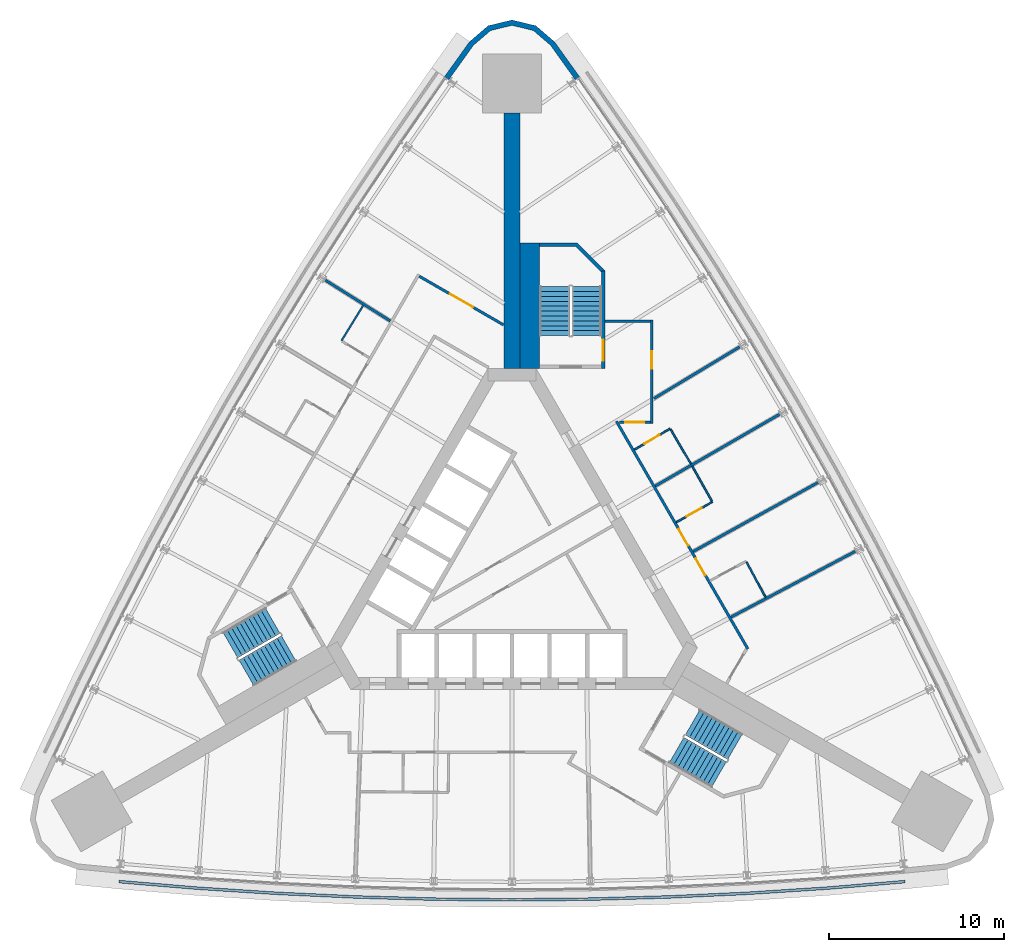
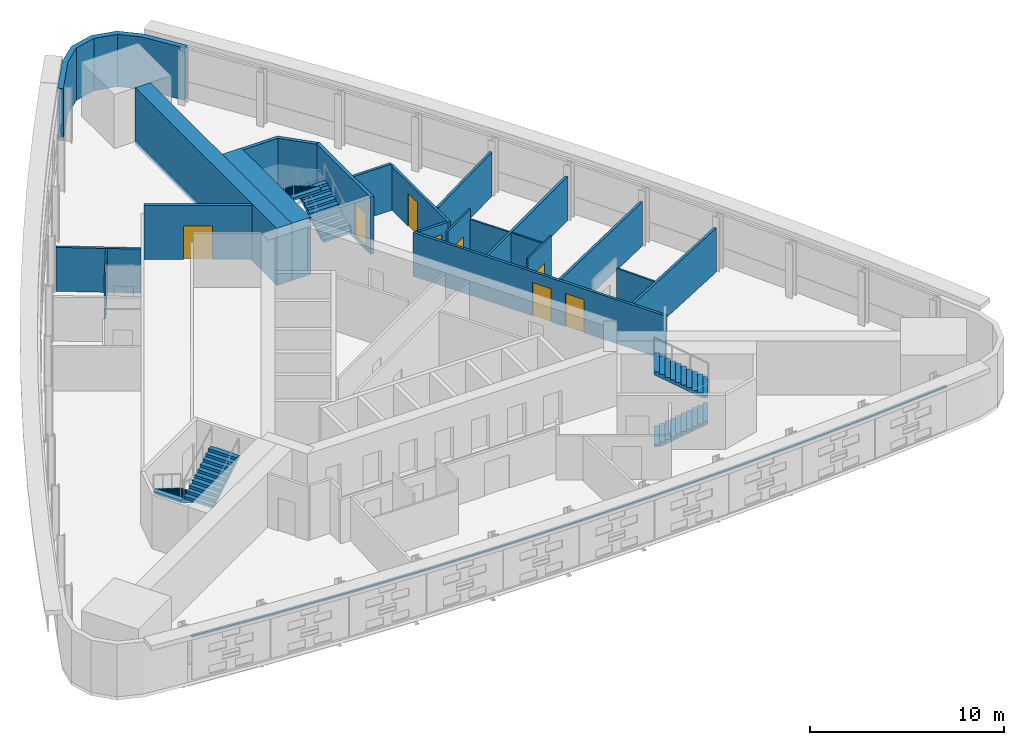
# One storey, part 12 of 15: 21 walls, 8 doors, 6 stair flights, 1 discrete accessory, 8 openings, 3 elements without a shape of their own.
"""IFC4 building model written with IfcOpenShell, lengths in metres."""

from ifc_helpers import new_model, si_unit, direction, frame, frame_2d, origin, place, context, subcontext, project, spatial, polyline, rectangle, outline, extrude, material, layer, layer_set, type_object, element, fill, aggregate, save


model = new_model("IFC4")

# Units and contexts
model_context = context("Model", 3, precision=1e-05, world=origin(), true_north=direction((0.0, 1.0)))
body_context = subcontext(model_context, "Body", "Model", "MODEL_VIEW")
ifc_project = project(units=[si_unit("LENGTHUNIT", "METRE"), si_unit("AREAUNIT", "SQUARE_METRE"), si_unit("VOLUMEUNIT", "CUBIC_METRE"), si_unit("PLANEANGLEUNIT", "RADIAN"), si_unit("MASSUNIT", "GRAM", prefix="KILO")], contexts=[model_context])

# Site, building, storey
site_placement = place(None, origin())
site = spatial("IfcSite", under=ifc_project, at=site_placement, CompositionType="ELEMENT")
building_placement = place(site_placement, origin())
building = spatial("IfcBuilding", under=site, at=building_placement, Name="Noor Cloister Tower", CompositionType="ELEMENT")
storey_placement = place(building_placement, frame((0.0, 0.0, 27.60009765625)))
storey = spatial("IfcBuildingStorey", under=building, at=storey_placement, Name="L06", CompositionType="ELEMENT", Elevation=27.60009765625)

# Wall
ifc_material_1 = material(Name="Concrete C80/95", Category="concrete")
ifc_layer_1 = layer(ifc_material_1, 0.89990234375)
ifc_layer_set_1 = layer_set([ifc_layer_1], Name="Buttress wall 900 C80/95")
wall_type_1 = type_object("IfcWallType", Name="Buttress wall 900 C80/95", PredefinedType="SHEAR", material=ifc_layer_set_1)
wall_1_placement = place(storey_placement, frame((0.0, 11.456298828125, -0.2001953125), z_axis=(0.0, 0.0, 1.0), x_axis=(0.0, 1.0, 0.0)))
element("IfcWall", 1, at=wall_1_placement, inside=storey, type_object=wall_type_1, Name="Buttress wall N L06", PredefinedType="SHEAR", context=body_context, shape_type="SweptSolid", body=[
    extrude(rectangle(XDim=14.6328125, YDim=0.89990234375, at=frame_2d((7.31640625, 0.0))), origin(), (0.0, 0.0, 1.0), 3.60009765625),
])

# Wall, openings, doors
ifc_material_2 = material(Name="Gypsum board partition on steel studs, 150 mm", Category="steel")
ifc_layer_2 = layer(ifc_material_2, 0.14990234375)
ifc_layer_set_2 = layer_set([ifc_layer_2], Name="Flat wall 150")
wall_type_2 = type_object("IfcWallType", Name="Flat wall 150", PredefinedType="PARTITIONING", material=ifc_layer_set_2)
wall_2_placement = place(storey_placement, frame((5.9814453125, 8.4462890625, 0.0), z_axis=(0.0, 0.0, 1.0), x_axis=(0.499996620721, -0.866027354803, 0.0)))
wall_2 = element("IfcWall", 2, at=wall_2_placement, inside=storey, type_object=wall_type_2, Name="Flat wall 150 L06 003", PredefinedType="PARTITIONING", context=body_context, shape_type="SweptSolid", body=[
    extrude(rectangle(XDim=15.056640625, YDim=0.14990234375, at=frame_2d((7.5283203125, 0.0))), origin(), (0.0, 0.0, 1.0), 2.767822265625),
])
opening_1_placement = place(wall_2_placement, frame((9.08740234375, 0.0, 0.0)))
opening_1 = element("IfcOpeningElement", 3, at=opening_1_placement, cuts=wall_2, Name="Opening L06-005", PredefinedType="OPENING", context=body_context, shape_type="SweptSolid", body=[
    extrude(rectangle(XDim=1.10009765625, YDim=2.10009765625, at=frame_2d((0.550048828125, 1.050048828125))), frame((0.0, 0.0849609375, 0.0), z_axis=(0.0, -1.0, 0.0), x_axis=(1.0, 0.0, 0.0)), (0.0, 0.0, 1.0), 0.169921875),
])
opening_2_placement = place(wall_2_placement, frame((7.127685546875, 0.0, 0.0)))
opening_2 = element("IfcOpeningElement", 4, at=opening_2_placement, cuts=wall_2, Name="Opening L06-006", PredefinedType="OPENING", context=body_context, shape_type="SweptSolid", body=[
    extrude(rectangle(XDim=1.10009765625, YDim=2.10009765625, at=frame_2d((0.550048828125, 1.050048828125))), frame((0.0, 0.0849609375, 0.0), z_axis=(0.0, -1.0, 0.0), x_axis=(1.0, 0.0, 0.0)), (0.0, 0.0, 1.0), 0.169921875),
])
ifc_material_3 = material(Name="Timber door leaf with steel frame", Category="steel")
door_type_1 = type_object("IfcDoorType", Name="Resident room door 1100", OperationType="NOTDEFINED", PredefinedType="DOOR", material=ifc_material_3)
door_1_placement = place(opening_1_placement, origin())
door_1 = element("IfcDoor", 5, at=door_1_placement, inside=storey, type_object=door_type_1, Name="Resident room door 1100 L06-005", OperationType="SINGLE_SWING_RIGHT", OverallHeight=2.10009765625, OverallWidth=1.10009765625, PredefinedType="DOOR", context=body_context, shape_type="SweptSolid", body=[
    extrude(rectangle(XDim=1.10009765625, YDim=2.10009765625, at=frame_2d((0.550048828125, 1.050048828125))), frame((0.0, 0.02490234375, 0.0), z_axis=(0.0, -1.0, 0.0), x_axis=(1.0, 0.0, 0.0)), (0.0, 0.0, 1.0), 0.050048828125),
])
fill(opening_1, door_1)
door_2_placement = place(opening_2_placement, origin())
door_2 = element("IfcDoor", 6, at=door_2_placement, inside=storey, type_object=door_type_1, Name="Resident room door 1100 L06-006", OperationType="SINGLE_SWING_RIGHT", OverallHeight=2.10009765625, OverallWidth=1.10009765625, PredefinedType="DOOR", context=body_context, shape_type="SweptSolid", body=[
    extrude(rectangle(XDim=1.10009765625, YDim=2.10009765625, at=frame_2d((0.550048828125, 1.050048828125))), frame((0.0, 0.02490234375, 0.0), z_axis=(0.0, -1.0, 0.0), x_axis=(1.0, 0.0, 0.0)), (0.0, 0.0, 1.0), 0.050048828125),
])
fill(opening_2, door_2)

# Wall, opening, door
wall_3_placement = place(storey_placement, frame((8.010498046875, 14.25634765625, 0.0), z_axis=(0.0, 0.0, 1.0), x_axis=(0.0, -1.0, 0.0)))
wall_3 = element("IfcWall", 7, at=wall_3_placement, inside=storey, type_object=wall_type_2, Name="Flat wall 150 L06 005", PredefinedType="PARTITIONING", context=body_context, shape_type="SweptSolid", body=[
    extrude(rectangle(XDim=5.949951171875, YDim=0.14990234375, at=frame_2d((2.97509765625, 0.0))), origin(), (0.0, 0.0, 1.0), 2.767822265625),
])
opening_3_placement = place(wall_3_placement, frame((1.80712890625, 0.0, 0.0)))
opening_3 = element("IfcOpeningElement", 8, at=opening_3_placement, cuts=wall_3, Name="Opening L06-010", PredefinedType="OPENING", context=body_context, shape_type="SweptSolid", body=[
    extrude(rectangle(XDim=1.0, YDim=2.10009765625, at=frame_2d((0.5, 1.050048828125))), frame((0.0, 0.0849609375, 0.0), z_axis=(0.0, -1.0, 0.0), x_axis=(1.0, 0.0, 0.0)), (0.0, 0.0, 1.0), 0.169921875),
])
ifc_material_4 = material(Name="Timber door leaf with steel frame", Category="steel")
door_type_2 = type_object("IfcDoorType", Name="Interior door 1000 FD60", OperationType="NOTDEFINED", PredefinedType="DOOR", material=ifc_material_4)
door_3_placement = place(opening_3_placement, origin())
door_3 = element("IfcDoor", 9, at=door_3_placement, inside=storey, type_object=door_type_2, Name="Interior door 1000 L06-010", OperationType="SINGLE_SWING_LEFT", OverallHeight=2.10009765625, OverallWidth=1.0, PredefinedType="DOOR", context=body_context, shape_type="SweptSolid", body=[
    extrude(rectangle(XDim=1.0, YDim=2.10009765625, at=frame_2d((0.5, 1.050048828125))), frame((0.0, 0.02490234375, 0.0), z_axis=(0.0, -1.0, 0.0), x_axis=(1.0, 0.0, 0.0)), (0.0, 0.0, 1.0), 0.050048828125),
])
fill(opening_3, door_3)

wall_4_placement = place(storey_placement, frame((-5.3125, 16.754638671875, 0.0), z_axis=(0.0, 0.0, 1.0), x_axis=(0.866028693448, -0.499994302092, 0.0)))
wall_4 = element("IfcWall", 10, at=wall_4_placement, inside=storey, type_object=wall_type_2, Name="Flat wall 150 L06 007", PredefinedType="PARTITIONING", context=body_context, shape_type="SweptSolid", body=[
    extrude(rectangle(XDim=5.5712890625, YDim=0.14990234375, at=frame_2d((2.78564453125, 0.0))), origin(), (0.0, 0.0, 1.0), 3.39990234375),
])
opening_4_placement = place(wall_4_placement, frame((2.045166015625, 0.0, 0.0)))
opening_4 = element("IfcOpeningElement", 11, at=opening_4_placement, cuts=wall_4, Name="Opening L06-012", PredefinedType="OPENING", context=body_context, shape_type="SweptSolid", body=[
    extrude(rectangle(XDim=1.5, YDim=2.10009765625, at=frame_2d((0.75, 1.050048828125))), frame((0.0, 0.0849609375, 0.0), z_axis=(0.0, -1.0, 0.0), x_axis=(1.0, 0.0, 0.0)), (0.0, 0.0, 1.0), 0.169921875),
])
ifc_material_5 = material(Name="Timber door leaf with steel frame", Category="steel")
door_type_3 = type_object("IfcDoorType", Name="Double door 1500 FD60", OperationType="NOTDEFINED", PredefinedType="DOOR", material=ifc_material_5)
door_4_placement = place(opening_4_placement, origin())
door_4 = element("IfcDoor", 12, at=door_4_placement, inside=storey, type_object=door_type_3, Name="Double door 1500 L06-012", OperationType="DOUBLE_DOOR_SINGLE_SWING", OverallHeight=2.10009765625, OverallWidth=1.5, PredefinedType="DOOR", context=body_context, shape_type="SweptSolid", body=[
    extrude(rectangle(XDim=1.5, YDim=2.10009765625, at=frame_2d((0.75, 1.050048828125))), frame((0.0, 0.02490234375, 0.0), z_axis=(0.0, -1.0, 0.0), x_axis=(1.0, 0.0, 0.0)), (0.0, 0.0, 1.0), 0.050048828125),
])
fill(opening_4, door_4)

# Wall
wall_5_placement = place(storey_placement, frame((5.335693359375, 14.181396484375, 0.0), z_axis=(0.0, 0.0, 1.0), x_axis=(1.0, 0.0, 0.0)))
element("IfcWall", 13, at=wall_5_placement, inside=storey, type_object=wall_type_2, Name="Flat wall 150 L06 009", PredefinedType="PARTITIONING", context=body_context, shape_type="SweptSolid", body=[
    extrude(rectangle(XDim=2.599853515625, YDim=0.14990234375, at=frame_2d((1.2998046875, 0.0))), origin(), (0.0, 0.0, 1.0), 2.9228515625),
])

# Wall, opening, door
wall_6_placement = place(storey_placement, frame((7.935546875, 8.38134765625, 0.0), z_axis=(0.0, 0.0, 1.0), x_axis=(-1.0, 0.0, 0.0)))
wall_6 = element("IfcWall", 14, at=wall_6_placement, inside=storey, type_object=wall_type_2, Name="Flat wall 150 L06 013", PredefinedType="PARTITIONING", context=body_context, shape_type="SweptSolid", body=[
    extrude(rectangle(XDim=1.786865234375, YDim=0.14990234375, at=frame_2d((0.8935546875, 0.0))), origin(), (0.0, 0.0, 1.0), 2.767822265625),
])
opening_5_placement = place(wall_6_placement, frame((0.352783203125, 0.0, 0.0)))
opening_5 = element("IfcOpeningElement", 15, at=opening_5_placement, cuts=wall_6, Name="Opening L06-015", PredefinedType="OPENING", context=body_context, shape_type="SweptSolid", body=[
    extrude(rectangle(XDim=1.10009765625, YDim=2.10009765625, at=frame_2d((0.550048828125, 1.050048828125))), frame((0.0, 0.0849609375, 0.0), z_axis=(0.0, -1.0, 0.0), x_axis=(1.0, 0.0, 0.0)), (0.0, 0.0, 1.0), 0.169921875),
])
door_5_placement = place(opening_5_placement, origin())
door_5 = element("IfcDoor", 16, at=door_5_placement, inside=storey, type_object=door_type_1, Name="Resident room door 1100 L06-015", OperationType="SINGLE_SWING_RIGHT", OverallHeight=2.10009765625, OverallWidth=1.10009765625, PredefinedType="DOOR", context=body_context, shape_type="SweptSolid", body=[
    extrude(rectangle(XDim=1.10009765625, YDim=2.10009765625, at=frame_2d((0.550048828125, 1.050048828125))), frame((0.0, 0.02490234375, 0.0), z_axis=(0.0, -1.0, 0.0), x_axis=(1.0, 0.0, 0.0)), (0.0, 0.0, 1.0), 0.050048828125),
])
fill(opening_5, door_5)

# Walls
wall_7_placement = place(storey_placement, frame((15.31396484375, 8.841552734375, 0.0), z_axis=(0.0, 0.0, 1.0), x_axis=(-0.866015124653, -0.500017803555, 0.0)))
element("IfcWall", 17, at=wall_7_placement, inside=storey, type_object=wall_type_2, Name="Flat wall 150 L06 017", PredefinedType="PARTITIONING", context=body_context, shape_type="SweptSolid", body=[
    extrude(rectangle(XDim=8.204833984375, YDim=0.14990234375, at=frame_2d((4.1025390625, 0.0))), origin(), (0.0, 0.0, 1.0), 2.767822265625),
])
wall_8_placement = place(storey_placement, frame((17.5205078125, 4.936767578125, 0.0), z_axis=(0.0, 0.0, 1.0), x_axis=(-0.875148563779, -0.483854307944, 0.0)))
element("IfcWall", 18, at=wall_8_placement, inside=storey, type_object=wall_type_2, Name="Flat wall 150 L06 018", PredefinedType="PARTITIONING", context=body_context, shape_type="SweptSolid", body=[
    extrude(rectangle(XDim=8.16357421875, YDim=0.14990234375, at=frame_2d((4.081787109375, 0.0))), origin(), (0.0, 0.0, 1.0), 2.767822265625),
])
wall_9_placement = place(storey_placement, frame((19.654052734375, 0.99169921875, 0.0), z_axis=(0.0, 0.0, 1.0), x_axis=(-0.883980590433, -0.467523599124, 0.0)))
element("IfcWall", 19, at=wall_9_placement, inside=storey, type_object=wall_type_2, Name="Flat wall 150 L06 019", PredefinedType="PARTITIONING", context=body_context, shape_type="SweptSolid", body=[
    extrude(rectangle(XDim=8.041259765625, YDim=0.14990234375, at=frame_2d((4.0205078125, 0.0))), origin(), (0.0, 0.0, 1.0), 2.767822265625),
])
wall_10_placement = place(storey_placement, frame((13.03564453125, 12.704833984375, 0.0), z_axis=(0.0, 0.0, 1.0), x_axis=(-0.856612490534, -0.515960309579, 0.0)))
element("IfcWall", 20, at=wall_10_placement, inside=storey, type_object=wall_type_2, Name="Flat wall 150 L06 022", PredefinedType="PARTITIONING", context=body_context, shape_type="SweptSolid", body=[
    extrude(rectangle(XDim=5.7333984375, YDim=0.14990234375, at=frame_2d((2.86669921875, 0.0))), origin(), (0.0, 0.0, 1.0), 2.767822265625),
])
wall_11_placement = place(storey_placement, frame((-10.685791015625, 16.525146484375, 0.0), z_axis=(0.0, 0.0, 1.0), x_axis=(0.846871345174, -0.531797823165, 0.0)))
element("IfcWall", 21, at=wall_11_placement, inside=storey, type_object=wall_type_2, Name="Flat wall 150 L06 025", PredefinedType="PARTITIONING", context=body_context, shape_type="SweptSolid", body=[
    extrude(rectangle(XDim=4.388916015625, YDim=0.14990234375, at=frame_2d((2.1943359375, 0.0))), origin(), (0.0, 0.0, 1.0), 2.767822265625),
])
ifc_material_6 = material(Name="Limestone", Category="masonry")
ifc_layer_3 = layer(ifc_material_6, 0.300048828125)
ifc_layer_set_3 = layer_set([ifc_layer_3], Name="Limestone cladding 300")
wall_type_3 = type_object("IfcWallType", Name="Limestone cladding 300", PredefinedType="NOTDEFINED", material=ifc_layer_set_3)
wall_12_placement = place(storey_placement, origin())
element("IfcWall", 22, at=wall_12_placement, inside=storey, type_object=wall_type_3, Name="Limestone pier cladding L06 3.1", PredefinedType="NOTDEFINED", context=body_context, shape_type="SweptSolid", body=[
    extrude(outline(polyline([(3.869873046875, 28.177734375), (2.43017578125, 30.188232421875), (1.3642578125, 31.100830078125), (0.0, 31.428955078125), (-1.3642578125, 31.100830078125), (-2.43017578125, 30.188232421875), (-3.869873046875, 28.177734375), (-3.6259765625, 28.003173828125), (-2.20751953125, 29.98388671875), (-1.223876953125, 30.826171875), (0.0, 31.12060546875), (1.223876953125, 30.826171875), (2.20751953125, 29.98388671875), (3.6259765625, 28.003173828125), (3.869873046875, 28.177734375)])), origin(), (0.0, 0.0, 1.0), 3.2998046875),
])

# Wall, opening, door
ifc_material_7 = material(Name="Gypsum board partition on steel studs, 100 mm", Category="steel")
ifc_layer_4 = layer(ifc_material_7, 0.10009765625)
ifc_layer_set_4 = layer_set([ifc_layer_4], Name="Partition 100")
wall_type_4 = type_object("IfcWallType", Name="Partition 100", PredefinedType="PARTITIONING", material=ifc_layer_set_4)
wall_13_placement = place(storey_placement, frame((9.408203125, 2.66162109375, 0.0), z_axis=(0.0, 0.0, 1.0), x_axis=(0.870608725809, 0.491976062981, 0.0)))
wall_13 = element("IfcWall", 23, at=wall_13_placement, inside=storey, type_object=wall_type_4, Name="Partition 100 L06 027", PredefinedType="PARTITIONING", context=body_context, shape_type="SweptSolid", body=[
    extrude(rectangle(XDim=2.3779296875, YDim=0.10009765625, at=frame_2d((1.18896484375, 0.0))), origin(), (0.0, 0.0, 1.0), 3.39990234375),
])
opening_6_placement = place(wall_13_placement, frame((0.677978515625, 0.0, 0.0)))
opening_6 = element("IfcOpeningElement", 24, at=opening_6_placement, cuts=wall_13, Name="Opening L06-016", PredefinedType="OPENING", context=body_context, shape_type="SweptSolid", body=[
    extrude(rectangle(XDim=1.0, YDim=2.10009765625, at=frame_2d((0.5, 1.050048828125))), frame((0.0, 0.06005859375, 0.0), z_axis=(0.0, -1.0, 0.0), x_axis=(1.0, 0.0, 0.0)), (0.0, 0.0, 1.0), 0.1201171875),
])
ifc_material_8 = material(Name="Timber door leaf with steel frame", Category="steel")
door_type_4 = type_object("IfcDoorType", Name="Interior door 1000", OperationType="NOTDEFINED", PredefinedType="DOOR", material=ifc_material_8)
door_6_placement = place(opening_6_placement, origin())
door_6 = element("IfcDoor", 25, at=door_6_placement, inside=storey, type_object=door_type_4, Name="Interior door 1000 L06-016", OperationType="SINGLE_SWING_LEFT", OverallHeight=2.10009765625, OverallWidth=1.0, PredefinedType="DOOR", context=body_context, shape_type="SweptSolid", body=[
    extrude(rectangle(XDim=1.0, YDim=2.10009765625, at=frame_2d((0.5, 1.050048828125))), frame((0.0, 0.02490234375, 0.0), z_axis=(0.0, -1.0, 0.0), x_axis=(1.0, 0.0, 0.0)), (0.0, 0.0, 1.0), 0.050048828125),
])
fill(opening_6, door_6)

wall_14_placement = place(storey_placement, frame((9.0576171875, 8.02490234375, 0.0), z_axis=(0.0, 0.0, 1.0), x_axis=(-0.861363599661, -0.507988926236, 0.0)))
wall_14 = element("IfcWall", 26, at=wall_14_placement, inside=storey, type_object=wall_type_4, Name="Partition 100 L06 028", PredefinedType="PARTITIONING", context=body_context, shape_type="SweptSolid", body=[
    extrude(rectangle(XDim=2.3779296875, YDim=0.10009765625, at=frame_2d((1.18896484375, 0.0))), origin(), (0.0, 0.0, 1.0), 3.39990234375),
])
opening_7_placement = place(wall_14_placement, frame((0.699951171875, 0.0, 0.0)))
opening_7 = element("IfcOpeningElement", 27, at=opening_7_placement, cuts=wall_14, Name="Opening L06-017", PredefinedType="OPENING", context=body_context, shape_type="SweptSolid", body=[
    extrude(rectangle(XDim=1.0, YDim=2.10009765625, at=frame_2d((0.5, 1.050048828125))), frame((0.0, 0.06005859375, 0.0), z_axis=(0.0, -1.0, 0.0), x_axis=(1.0, 0.0, 0.0)), (0.0, 0.0, 1.0), 0.1201171875),
])
door_7_placement = place(opening_7_placement, origin())
door_7 = element("IfcDoor", 28, at=door_7_placement, inside=storey, type_object=door_type_4, Name="Interior door 1000 L06-017", OperationType="SINGLE_SWING_RIGHT", OverallHeight=2.10009765625, OverallWidth=1.0, PredefinedType="DOOR", context=body_context, shape_type="SweptSolid", body=[
    extrude(rectangle(XDim=1.0, YDim=2.10009765625, at=frame_2d((0.5, 1.050048828125))), frame((0.0, 0.02490234375, 0.0), z_axis=(0.0, -1.0, 0.0), x_axis=(1.0, 0.0, 0.0)), (0.0, 0.0, 1.0), 0.050048828125),
])
fill(opening_7, door_7)

# Walls
wall_15_placement = place(storey_placement, frame((-8.523193359375, 15.078125, 0.0), z_axis=(0.0, 0.0, 1.0), x_axis=(-0.523925395227, -0.851764157638, 0.0)))
element("IfcWall", 29, at=wall_15_placement, inside=storey, type_object=wall_type_4, Name="Partition 100 L06 029", PredefinedType="PARTITIONING", context=body_context, shape_type="SweptSolid", body=[
    extrude(rectangle(XDim=2.37548828125, YDim=0.10009765625, at=frame_2d((1.187744140625, 0.0))), origin(), (0.0, 0.0, 1.0), 2.767822265625),
])
for number, where, z_axis, x_axis, name in (
    (30, (14.524169921875, -1.635986328125, 0.0), (0.0, 0.0, 1.0), (-0.475734975891, 0.879588672457, 0.0), "Partition 100 L06 032"),
    (31, (10.32470703125, 5.873779296875, 0.0), (0.0, 0.0, 1.0), (0.491941616, -0.870628190703, 0.0), "Partition 100 L06 033"),
    (32, (10.249267578125, 6.00439453125, 0.0), (0.0, 0.0, 1.0), (-0.507991089151, 0.861362324079, 0.0), "Partition 100 L06 034"),
):
    element("IfcWall", number, at=place(storey_placement, frame(where, z_axis=z_axis, x_axis=x_axis)), inside=storey, type_object=wall_type_4, Name=name, PredefinedType="PARTITIONING", context=body_context, shape_type="SweptSolid", body=[
        extrude(rectangle(XDim=2.2958984375, YDim=0.10009765625, at=frame_2d((1.14794921875, 0.0))), origin(), (0.0, 0.0, 1.0), 2.767822265625),
    ])
ifc_material_9 = material(Name="Concrete C80/95", Category="concrete")
ifc_layer_5 = layer(ifc_material_9, 1.135986328125)
ifc_layer_set_5 = layer_set([ifc_layer_5], Name="Stair enclosure wall 1136 C80/95")
wall_type_5 = type_object("IfcWallType", Name="Stair enclosure wall 1136 C80/95", PredefinedType="SHEAR", material=ifc_layer_set_5)
wall_16_placement = place(storey_placement, frame((1.017822265625, 11.456298828125, -0.2001953125), z_axis=(0.0, 0.0, 1.0), x_axis=(0.0, 1.0, 0.0)))
element("IfcWall", 33, at=wall_16_placement, inside=storey, type_object=wall_type_5, Name="Stair enclosure wall ST1 L06 riser side", PredefinedType="SHEAR", context=body_context, shape_type="SweptSolid", body=[
    extrude(rectangle(XDim=7.2001953125, YDim=1.1357421875, at=frame_2d((3.60009765625, 0.0))), origin(), (0.0, 0.0, 1.0), 3.60009765625),
])

# Wall, opening, door
ifc_material_10 = material(Name="Concrete C80/95", Category="concrete")
ifc_layer_6 = layer(ifc_material_10, 0.199951171875)
ifc_layer_set_6 = layer_set([ifc_layer_6], Name="Stair enclosure wall 200 C80/95")
wall_type_6 = type_object("IfcWallType", Name="Stair enclosure wall 200 C80/95", PredefinedType="SHEAR", material=ifc_layer_set_6)
wall_17_placement = place(storey_placement, frame((5.235595703125, 11.456298828125, -0.2001953125), z_axis=(0.0, 0.0, 1.0), x_axis=(0.0, 1.0, 0.0)))
wall_17 = element("IfcWall", 34, at=wall_17_placement, inside=storey, type_object=wall_type_6, Name="Stair enclosure wall ST1 L06 outer side", PredefinedType="SHEAR", context=body_context, shape_type="SweptSolid", body=[
    extrude(rectangle(XDim=5.60009765625, YDim=0.199951171875, at=frame_2d((2.800048828125, 0.0))), origin(), (0.0, 0.0, 1.0), 3.60009765625),
])
opening_8_placement = place(wall_17_placement, frame((0.449951171875, 0.0, 0.199951171875)))
opening_8 = element("IfcOpeningElement", 35, at=opening_8_placement, cuts=wall_17, Name="Opening L06-ST1C", PredefinedType="OPENING", context=body_context, shape_type="SweptSolid", body=[
    extrude(rectangle(XDim=1.199951171875, YDim=2.10009765625, at=frame_2d((0.60009765625, 1.050048828125))), frame((0.0, 0.10986328125, 0.0), z_axis=(0.0, -1.0, 0.0), x_axis=(1.0, 0.0, 0.0)), (0.0, 0.0, 1.0), 0.219970703125),
])
ifc_material_11 = material(Name="Steel", Category="steel")
door_type_5 = type_object("IfcDoorType", Name="Stair door 1200 x 2100 FD120", OperationType="SINGLE_SWING_LEFT", PredefinedType="DOOR", material=ifc_material_11)
door_8_placement = place(opening_8_placement, origin())
door_8 = element("IfcDoor", 36, at=door_8_placement, inside=storey, type_object=door_type_5, Name="Stair door ST1 L06", OperationType="SINGLE_SWING_LEFT", OverallHeight=2.10009765625, OverallWidth=1.199951171875, PredefinedType="DOOR", context=body_context, shape_type="SweptSolid", body=[
    extrude(rectangle(XDim=1.199951171875, YDim=2.10009765625, at=frame_2d((0.60009765625, 1.050048828125))), frame((0.0, 0.02490234375, 0.0), z_axis=(0.0, -1.0, 0.0), x_axis=(1.0, 0.0, 0.0)), (0.0, 0.0, 1.0), 0.050048828125),
])
fill(opening_8, door_8)

# Wall
ifc_material_12 = material(Name="Concrete C80/95", Category="concrete")
wall_type_7 = type_object("IfcWallType", Name="Stair far end wall C80/95", PredefinedType="SHEAR", material=ifc_material_12)
wall_18_placement = place(storey_placement, frame((0.0, 0.0, -0.2001953125)))
element("IfcWall", 37, at=wall_18_placement, inside=storey, type_object=wall_type_7, Name="Stair enclosure wall ST1 L06 far end", PredefinedType="SHEAR", context=body_context, shape_type="SweptSolid", body=[
    extrude(outline(polyline([(5.335693359375, 17.056396484375), (3.735595703125, 18.656494140625), (1.585693359375, 18.656494140625), (1.585693359375, 18.456298828125), (3.65283203125, 18.456298828125), (5.135498046875, 16.9736328125), (5.135498046875, 17.056396484375), (5.135498046875, 17.056396484375), (5.135498046875, 17.056396484375), (5.135498046875, 17.056396484375), (5.135498046875, 17.056396484375), (5.135498046875, 17.056396484375), (5.135498046875, 17.056396484375), (5.135498046875, 17.056396484375), (5.135498046875, 17.056396484375), (5.135498046875, 17.056396484375), (5.135498046875, 17.056396484375), (5.135498046875, 17.056396484375), (5.135498046875, 17.056396484375), (5.135498046875, 17.056396484375), (5.135498046875, 17.056396484375), (5.135498046875, 17.056396484375), (5.135498046875, 17.056396484375), (5.335693359375, 17.056396484375)])), origin(), (0.0, 0.0, 1.0), 3.60009765625),
])

# Stair, stair flights
ifc_material_13 = material(Name="Concrete C40/50", Category="concrete")
stair_type = type_object("IfcStairType", Name="Exit stair 22 risers", PredefinedType="HALF_TURN_STAIR", material=ifc_material_13)
stair_1_placement = place(storey_placement, origin())
stair_1 = element("IfcStair", 38, at=stair_1_placement, inside=storey, type_object=stair_type, Name="Exit stair ST1 L06", PredefinedType="HALF_TURN_STAIR")
ifc_material_14 = material(Name="Concrete C40/50", Category="concrete")
stair_flight_type = type_object("IfcStairFlightType", Name="Exit stair flight", PredefinedType="STRAIGHT", material=ifc_material_14)
stair_flight_1_placement = place(storey_placement, frame((4.28564453125, 13.3564453125, 0.0), z_axis=(0.0, 0.0, 1.0), x_axis=(0.0, 1.0, 0.0)))
stair_flight_1 = element("IfcStairFlight", 39, at=stair_flight_1_placement, type_object=stair_flight_type, Name="ST1 flight 1", NumberOfRisers=11, NumberOfTreads=10, PredefinedType="STRAIGHT", RiserHeight=0.163636364, TreadLength=0.28, context=body_context, shape_type="SweptSolid", body=[
    extrude(outline(polyline([(0.0, 0.0), (0.0, 0.16357421875), (0.280029296875, 0.16357421875), (0.280029296875, 0.327392578125), (0.56005859375, 0.327392578125), (0.56005859375, 0.490966796875), (0.840087890625, 0.490966796875), (0.840087890625, 0.654541015625), (1.1201171875, 0.654541015625), (1.1201171875, 0.818115234375), (1.39990234375, 0.818115234375), (1.39990234375, 0.98193359375), (1.679931640625, 0.98193359375), (1.679931640625, 1.1455078125), (1.9599609375, 1.1455078125), (1.9599609375, 1.30908203125), (2.239990234375, 1.30908203125), (2.239990234375, 1.47265625), (2.52001953125, 1.47265625), (2.52001953125, 1.636474609375), (2.800048828125, 1.636474609375), (2.800048828125, 1.800048828125), (2.800048828125, 1.462646484375), (0.297119140625, 0.0), (0.0, 0.0)])), frame((0.0, 0.85009765625, 0.0), z_axis=(0.0, -1.0, 0.0), x_axis=(1.0, 0.0, 0.0)), (0.0, 0.0, 1.0), 1.699951171875),
])
stair_flight_2_placement = place(storey_placement, frame((2.435546875, 16.156494140625, 1.7998046875), z_axis=(0.0, 0.0, 1.0), x_axis=(0.0, -1.0, 0.0)))
stair_flight_2 = element("IfcStairFlight", 40, at=stair_flight_2_placement, type_object=stair_flight_type, Name="ST1 flight 2", NumberOfRisers=11, NumberOfTreads=10, PredefinedType="STRAIGHT", RiserHeight=0.163636364, TreadLength=0.28, context=body_context, shape_type="SweptSolid", body=[
    extrude(outline(polyline([(0.0, 0.0), (0.0, 0.16357421875), (0.280029296875, 0.16357421875), (0.280029296875, 0.327392578125), (0.56005859375, 0.327392578125), (0.56005859375, 0.490966796875), (0.840087890625, 0.490966796875), (0.840087890625, 0.654541015625), (1.1201171875, 0.654541015625), (1.1201171875, 0.818115234375), (1.39990234375, 0.818115234375), (1.39990234375, 0.98193359375), (1.679931640625, 0.98193359375), (1.679931640625, 1.1455078125), (1.9599609375, 1.1455078125), (1.9599609375, 1.30908203125), (2.239990234375, 1.30908203125), (2.239990234375, 1.47265625), (2.52001953125, 1.47265625), (2.52001953125, 1.636474609375), (2.800048828125, 1.636474609375), (2.800048828125, 1.800048828125), (2.800048828125, 1.462646484375), (0.297119140625, 0.0), (0.0, 0.0)])), frame((0.0, 0.85009765625, 0.0), z_axis=(0.0, -1.0, 0.0), x_axis=(1.0, 0.0, 0.0)), (0.0, 0.0, 1.0), 1.699951171875),
])
aggregate(stair_1, [stair_flight_1, stair_flight_2])

stair_2_placement = place(storey_placement, origin())
stair_2 = element("IfcStair", 41, at=stair_2_placement, inside=storey, type_object=stair_type, Name="Exit stair ST2 L06", PredefinedType="HALF_TURN_STAIR")
stair_flight_3_placement = place(storey_placement, frame((-13.709716796875, -2.966796875, 0.0), z_axis=(0.0, 0.0, 1.0), x_axis=(-0.866025403784, -0.5, 0.0)))
stair_flight_3 = element("IfcStairFlight", 42, at=stair_flight_3_placement, type_object=stair_flight_type, Name="ST2 flight 1", NumberOfRisers=11, NumberOfTreads=10, PredefinedType="STRAIGHT", RiserHeight=0.163636364, TreadLength=0.28, context=body_context, shape_type="SweptSolid", body=[
    extrude(outline(polyline([(0.0, 0.0), (0.0, 0.16357421875), (0.280029296875, 0.16357421875), (0.280029296875, 0.327392578125), (0.56005859375, 0.327392578125), (0.56005859375, 0.490966796875), (0.840087890625, 0.490966796875), (0.840087890625, 0.654541015625), (1.1201171875, 0.654541015625), (1.1201171875, 0.818115234375), (1.39990234375, 0.818115234375), (1.39990234375, 0.98193359375), (1.679931640625, 0.98193359375), (1.679931640625, 1.1455078125), (1.9599609375, 1.1455078125), (1.9599609375, 1.30908203125), (2.239990234375, 1.30908203125), (2.239990234375, 1.47265625), (2.52001953125, 1.47265625), (2.52001953125, 1.636474609375), (2.800048828125, 1.636474609375), (2.800048828125, 1.800048828125), (2.800048828125, 1.462646484375), (0.297119140625, 0.0), (0.0, 0.0)])), frame((0.0, 0.85009765625, 0.0), z_axis=(0.0, -1.0, 0.0), x_axis=(1.0, 0.0, 0.0)), (0.0, 0.0, 1.0), 1.699951171875),
])
stair_flight_4_placement = place(storey_placement, frame((-15.209716796875, -5.968994140625, 1.7998046875), z_axis=(0.0, 0.0, 1.0), x_axis=(0.866025403784, 0.5, 0.0)))
stair_flight_4 = element("IfcStairFlight", 43, at=stair_flight_4_placement, type_object=stair_flight_type, Name="ST2 flight 2", NumberOfRisers=11, NumberOfTreads=10, PredefinedType="STRAIGHT", RiserHeight=0.163636364, TreadLength=0.28, context=body_context, shape_type="SweptSolid", body=[
    extrude(outline(polyline([(0.0, 0.0), (0.0, 0.16357421875), (0.280029296875, 0.16357421875), (0.280029296875, 0.327392578125), (0.56005859375, 0.327392578125), (0.56005859375, 0.490966796875), (0.840087890625, 0.490966796875), (0.840087890625, 0.654541015625), (1.1201171875, 0.654541015625), (1.1201171875, 0.818115234375), (1.39990234375, 0.818115234375), (1.39990234375, 0.98193359375), (1.679931640625, 0.98193359375), (1.679931640625, 1.1455078125), (1.9599609375, 1.1455078125), (1.9599609375, 1.30908203125), (2.239990234375, 1.30908203125), (2.239990234375, 1.47265625), (2.52001953125, 1.47265625), (2.52001953125, 1.636474609375), (2.800048828125, 1.636474609375), (2.800048828125, 1.800048828125), (2.800048828125, 1.462646484375), (0.297119140625, 0.0), (0.0, 0.0)])), frame((0.0, 0.85009765625, 0.0), z_axis=(0.0, -1.0, 0.0), x_axis=(1.0, 0.0, 0.0)), (0.0, 0.0, 1.0), 1.699951171875),
])
aggregate(stair_2, [stair_flight_3, stair_flight_4])

stair_3_placement = place(storey_placement, origin())
stair_3 = element("IfcStair", 44, at=stair_3_placement, inside=storey, type_object=stair_type, Name="Exit stair ST3 L06", PredefinedType="HALF_TURN_STAIR")
stair_flight_5_placement = place(storey_placement, frame((9.424072265625, -10.3896484375, 0.0), z_axis=(0.0, 0.0, 1.0), x_axis=(0.866025403784, -0.5, 0.0)))
stair_flight_5 = element("IfcStairFlight", 45, at=stair_flight_5_placement, type_object=stair_flight_type, Name="ST3 flight 1", NumberOfRisers=11, NumberOfTreads=10, PredefinedType="STRAIGHT", RiserHeight=0.163636364, TreadLength=0.28, context=body_context, shape_type="SweptSolid", body=[
    extrude(outline(polyline([(0.0, 0.0), (0.0, 0.16357421875), (0.280029296875, 0.16357421875), (0.280029296875, 0.327392578125), (0.56005859375, 0.327392578125), (0.56005859375, 0.490966796875), (0.840087890625, 0.490966796875), (0.840087890625, 0.654541015625), (1.1201171875, 0.654541015625), (1.1201171875, 0.818115234375), (1.39990234375, 0.818115234375), (1.39990234375, 0.98193359375), (1.679931640625, 0.98193359375), (1.679931640625, 1.1455078125), (1.9599609375, 1.1455078125), (1.9599609375, 1.30908203125), (2.239990234375, 1.30908203125), (2.239990234375, 1.47265625), (2.52001953125, 1.47265625), (2.52001953125, 1.636474609375), (2.800048828125, 1.636474609375), (2.800048828125, 1.800048828125), (2.800048828125, 1.462646484375), (0.297119140625, 0.0), (0.0, 0.0)])), frame((0.0, 0.85009765625, 0.0), z_axis=(0.0, -1.0, 0.0), x_axis=(1.0, 0.0, 0.0)), (0.0, 0.0, 1.0), 1.699951171875),
])
stair_flight_6_placement = place(storey_placement, frame((12.77392578125, -10.1875, 1.7998046875), z_axis=(0.0, 0.0, 1.0), x_axis=(-0.866025403784, 0.5, 0.0)))
stair_flight_6 = element("IfcStairFlight", 46, at=stair_flight_6_placement, type_object=stair_flight_type, Name="ST3 flight 2", NumberOfRisers=11, NumberOfTreads=10, PredefinedType="STRAIGHT", RiserHeight=0.163636364, TreadLength=0.28, context=body_context, shape_type="SweptSolid", body=[
    extrude(outline(polyline([(0.0, 0.0), (0.0, 0.16357421875), (0.280029296875, 0.16357421875), (0.280029296875, 0.327392578125), (0.56005859375, 0.327392578125), (0.56005859375, 0.490966796875), (0.840087890625, 0.490966796875), (0.840087890625, 0.654541015625), (1.1201171875, 0.654541015625), (1.1201171875, 0.818115234375), (1.39990234375, 0.818115234375), (1.39990234375, 0.98193359375), (1.679931640625, 0.98193359375), (1.679931640625, 1.1455078125), (1.9599609375, 1.1455078125), (1.9599609375, 1.30908203125), (2.239990234375, 1.30908203125), (2.239990234375, 1.47265625), (2.52001953125, 1.47265625), (2.52001953125, 1.636474609375), (2.800048828125, 1.636474609375), (2.800048828125, 1.800048828125), (2.800048828125, 1.462646484375), (0.297119140625, 0.0), (0.0, 0.0)])), frame((0.0, 0.85009765625, 0.0), z_axis=(0.0, -1.0, 0.0), x_axis=(1.0, 0.0, 0.0)), (0.0, 0.0, 1.0), 1.699951171875),
])
aggregate(stair_3, [stair_flight_5, stair_flight_6])

# Discrete accessory
ifc_material_15 = material(Name="Stainless steel grade 316", Category="steel")
discrete_accessory_type = type_object("IfcDiscreteAccessoryType", Name="Stainless hanger rail", PredefinedType="BRACKET", material=ifc_material_15)
discrete_accessory_placement = place(storey_placement, frame((0.0, 0.0, 3.199951171875)))
element("IfcDiscreteAccessory", 47, at=discrete_accessory_placement, inside=storey, type_object=discrete_accessory_type, Name="Hanger rail L06", PredefinedType="BRACKET", context=body_context, shape_type="SweptSolid", body=[
    extrude(outline(polyline([(-22.514404296875, -17.998291015625), (-18.02490234375, -18.3740234375), (-13.524169921875, -18.666748046875), (-9.018798828125, -18.875732421875), (-4.51025390625, -19.001220703125), (0.0, -19.043212890625), (4.51025390625, -19.001220703125), (9.018798828125, -18.875732421875), (13.524169921875, -18.666748046875), (18.02490234375, -18.3740234375), (22.514404296875, -17.998291015625), (22.501220703125, -17.8388671875), (18.01318359375, -18.21435546875), (13.515380859375, -18.5068359375), (9.0126953125, -18.7158203125), (4.507080078125, -18.84130859375), (0.0, -18.883056640625), (-4.507080078125, -18.84130859375), (-9.0126953125, -18.7158203125), (-13.515380859375, -18.5068359375), (-18.01318359375, -18.21435546875), (-22.501220703125, -17.8388671875), (-22.514404296875, -17.998291015625)])), origin(), (0.0, 0.0, 1.0), 0.099853515625),
])

save(model, "model.ifc")
